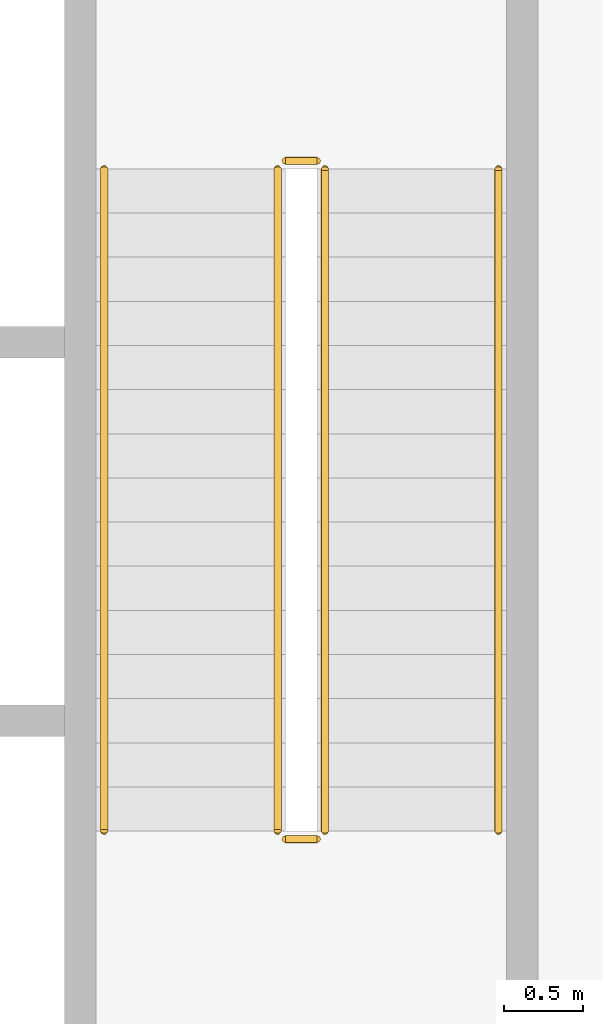
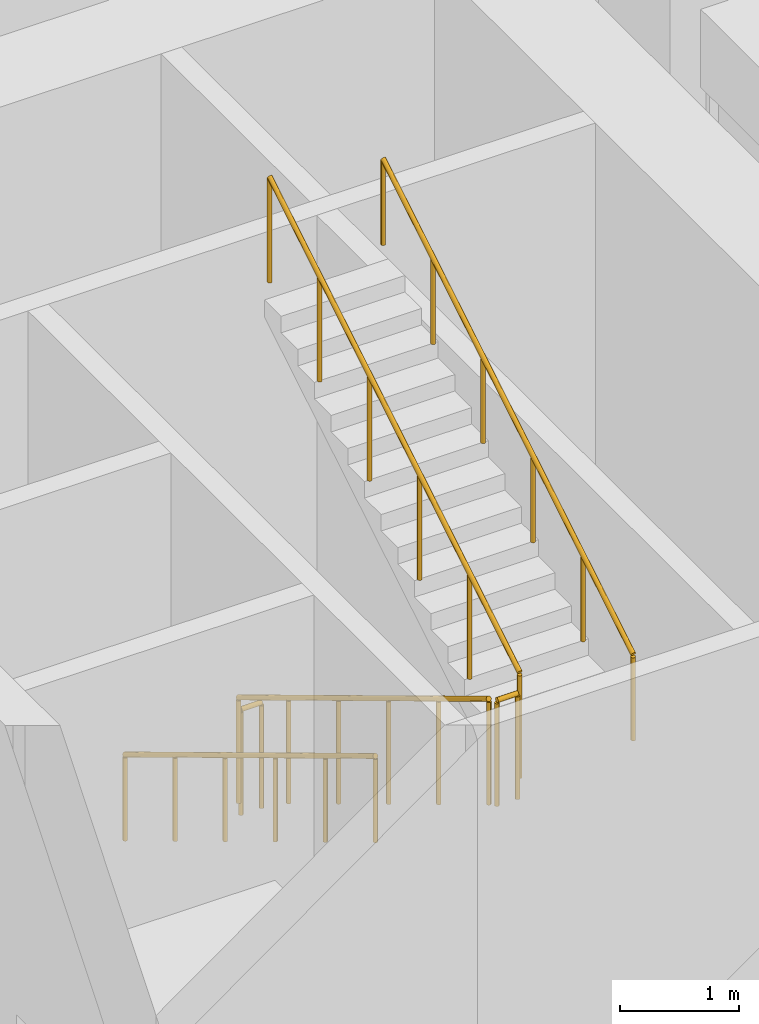
# One storey, part 26 of 28: 6 railings.
"""IFC4 building model written with IfcOpenShell, lengths in metres."""

from ifc_helpers import new_model, si_unit, direction, frame, origin, origin_2d, place, context, subcontext, project, spatial, circle, extrude, material, type_object, element, save


model = new_model("IFC4")

# Units and contexts
model_context = context("Model", 3, precision=1e-05, world=origin(), true_north=direction((0.0, 1.0)))
body_context = subcontext(model_context, "Body", "Model", "MODEL_VIEW")
ifc_project = project(units=[si_unit("LENGTHUNIT", "METRE"), si_unit("AREAUNIT", "SQUARE_METRE"), si_unit("VOLUMEUNIT", "CUBIC_METRE"), si_unit("PLANEANGLEUNIT", "RADIAN"), si_unit("MASSUNIT", "GRAM", prefix="KILO")], contexts=[model_context])

# Site, building, storey
site_placement = place(None, origin())
site = spatial("IfcSite", under=ifc_project, at=site_placement, CompositionType="ELEMENT")
building_placement = place(site_placement, origin())
building = spatial("IfcBuilding", under=site, at=building_placement, Name="Kiln Ring Residences", CompositionType="ELEMENT")
storey_placement = place(building_placement, frame((0.0, 0.0, 125.300048828125)))
storey = spatial("IfcBuildingStorey", under=building, at=storey_placement, Name="L32", CompositionType="ELEMENT", Elevation=125.300048828125)

# Railings
ifc_material_1 = material(Name="Stainless steel", Category="steel")
railing_type_1 = type_object("IfcRailingType", Name="CORE-STAIR-GUARD", PredefinedType="GUARDRAIL", material=ifc_material_1)
railing_1_placement = place(storey_placement, frame((21.949951171875, 8.39990234375, 0.168701171875)))
element("IfcRailing", 1, at=railing_1_placement, inside=storey, type_object=railing_type_1, Name="L32 E-STN stair guard 1", PredefinedType="GUARDRAIL", context=body_context, shape_type="SweptSolid", body=[
    extrude(circle(Radius=0.02392578125, at=origin_2d()), frame((0.0, 0.0, 1.076171875), z_axis=(0.0, -0.856476492594, 0.516186030065), x_axis=(1.0, 0.0, 0.0)), (0.0, 0.0, 1.0), 4.90380859375),
    extrude(circle(Radius=0.02099609375, at=origin_2d()), origin(), (0.0, 0.0, 1.0), 1.052001953125),
    extrude(circle(Radius=0.02099609375, at=origin_2d()), frame((0.0, -0.840087890625, 0.50634765625)), (0.0, 0.0, 1.0), 1.052001953125),
    extrude(circle(Radius=0.02099609375, at=origin_2d()), frame((0.0, -1.679931640625, 1.012451171875)), (0.0, 0.0, 1.0), 1.052001953125),
    extrude(circle(Radius=0.02099609375, at=origin_2d()), frame((0.0, -2.52001953125, 1.518798828125)), (0.0, 0.0, 1.0), 1.052001953125),
    extrude(circle(Radius=0.02099609375, at=origin_2d()), frame((0.0, -3.35986328125, 2.02490234375)), (0.0, 0.0, 1.0), 1.052001953125),
    extrude(circle(Radius=0.02099609375, at=origin_2d()), frame((0.0, -4.199951171875, 2.53125)), (0.0, 0.0, 1.0), 1.052001953125),
])
railing_2_placement = place(storey_placement, frame((22.0, 4.14990234375, 2.699951171875)))
element("IfcRailing", 2, at=railing_2_placement, inside=storey, type_object=railing_type_1, Name="L32 E-STN stair guard 2", PredefinedType="GUARDRAIL", context=body_context, shape_type="SweptSolid", body=[
    extrude(circle(Radius=0.02392578125, at=origin_2d()), frame((0.0, 0.0, 1.076171875), z_axis=(1.0, 0.0, 0.0), x_axis=(0.0, 1.0, 0.0)), (0.0, 0.0, 1.0), 0.199951171875),
    extrude(circle(Radius=0.02099609375, at=origin_2d()), origin(), (0.0, 0.0, 1.0), 1.052001953125),
    extrude(circle(Radius=0.02099609375, at=origin_2d()), frame((0.199951171875, 0.0, 0.0)), (0.0, 0.0, 1.0), 1.052001953125),
])
railing_3_placement = place(storey_placement, frame((22.25, 4.199951171875, 2.86865234375)))
element("IfcRailing", 3, at=railing_3_placement, inside=storey, type_object=railing_type_1, Name="L32 E-STN stair guard 3", PredefinedType="GUARDRAIL", context=body_context, shape_type="SweptSolid", body=[
    extrude(circle(Radius=0.02392578125, at=origin_2d()), frame((0.0, 0.0, 1.076171875), z_axis=(0.0, 0.856476492594, 0.516186030065), x_axis=(-1.0, 0.0, 0.0)), (0.0, 0.0, 1.0), 4.90380859375),
    extrude(circle(Radius=0.02099609375, at=origin_2d()), origin(), (0.0, 0.0, 1.0), 1.052001953125),
    extrude(circle(Radius=0.02099609375, at=origin_2d()), frame((0.0, 0.840087890625, 0.50634765625)), (0.0, 0.0, 1.0), 1.052001953125),
    extrude(circle(Radius=0.02099609375, at=origin_2d()), frame((0.0, 1.679931640625, 1.012451171875)), (0.0, 0.0, 1.0), 1.052001953125),
    extrude(circle(Radius=0.02099609375, at=origin_2d()), frame((0.0, 2.52001953125, 1.518798828125)), (0.0, 0.0, 1.0), 1.052001953125),
    extrude(circle(Radius=0.02099609375, at=origin_2d()), frame((0.0, 3.35986328125, 2.02490234375)), (0.0, 0.0, 1.0), 1.052001953125),
    extrude(circle(Radius=0.02099609375, at=origin_2d()), frame((0.0, 4.199951171875, 2.53125)), (0.0, 0.0, 1.0), 1.052001953125),
])
railing_4_placement = place(storey_placement, frame((22.0, 8.449951171875, 0.0)))
element("IfcRailing", 4, at=railing_4_placement, inside=storey, type_object=railing_type_1, Name="L32 E-STN stair guard 4", PredefinedType="GUARDRAIL", context=body_context, shape_type="SweptSolid", body=[
    extrude(circle(Radius=0.02392578125, at=origin_2d()), frame((0.0, 0.0, 1.076171875), z_axis=(1.0, 0.0, 0.0), x_axis=(0.0, 1.0, 0.0)), (0.0, 0.0, 1.0), 0.199951171875),
    extrude(circle(Radius=0.02099609375, at=origin_2d()), origin(), (0.0, 0.0, 1.0), 1.052001953125),
    extrude(circle(Radius=0.02099609375, at=origin_2d()), frame((0.199951171875, 0.0, 0.0)), (0.0, 0.0, 1.0), 1.052001953125),
])
ifc_material_2 = material(Name="Stainless steel", Category="steel")
railing_type_2 = type_object("IfcRailingType", Name="CORE-STAIR-HANDRAIL", PredefinedType="HANDRAIL", material=ifc_material_2)
railing_5_placement = place(storey_placement, frame((20.85009765625, 8.39990234375, 0.168701171875)))
element("IfcRailing", 5, at=railing_5_placement, inside=storey, type_object=railing_type_2, Name="L32 E-STN stair handrail 1", PredefinedType="HANDRAIL", context=body_context, shape_type="SweptSolid", body=[
    extrude(circle(Radius=0.02392578125, at=origin_2d()), frame((0.0, 0.0, 0.8759765625), z_axis=(0.0, -0.856476492594, 0.516186030065), x_axis=(1.0, 0.0, 0.0)), (0.0, 0.0, 1.0), 4.90380859375),
    extrude(circle(Radius=0.02099609375, at=origin_2d()), origin(), (0.0, 0.0, 1.0), 0.851806640625),
    extrude(circle(Radius=0.02099609375, at=origin_2d()), frame((0.0, -0.840087890625, 0.50634765625)), (0.0, 0.0, 1.0), 0.851806640625),
    extrude(circle(Radius=0.02099609375, at=origin_2d()), frame((0.0, -1.679931640625, 1.012451171875)), (0.0, 0.0, 1.0), 0.851806640625),
    extrude(circle(Radius=0.02099609375, at=origin_2d()), frame((0.0, -2.52001953125, 1.518798828125)), (0.0, 0.0, 1.0), 0.851806640625),
    extrude(circle(Radius=0.02099609375, at=origin_2d()), frame((0.0, -3.35986328125, 2.02490234375)), (0.0, 0.0, 1.0), 0.851806640625),
    extrude(circle(Radius=0.02099609375, at=origin_2d()), frame((0.0, -4.199951171875, 2.53125)), (0.0, 0.0, 1.0), 0.851806640625),
])
railing_6_placement = place(storey_placement, frame((23.35009765625, 4.199951171875, 2.86865234375)))
element("IfcRailing", 6, at=railing_6_placement, inside=storey, type_object=railing_type_2, Name="L32 E-STN stair handrail 2", PredefinedType="HANDRAIL", context=body_context, shape_type="SweptSolid", body=[
    extrude(circle(Radius=0.02392578125, at=origin_2d()), frame((0.0, 0.0, 0.8759765625), z_axis=(0.0, 0.856476492594, 0.516186030065), x_axis=(-1.0, 0.0, 0.0)), (0.0, 0.0, 1.0), 4.90380859375),
    extrude(circle(Radius=0.02099609375, at=origin_2d()), origin(), (0.0, 0.0, 1.0), 0.851806640625),
    extrude(circle(Radius=0.02099609375, at=origin_2d()), frame((0.0, 0.840087890625, 0.50634765625)), (0.0, 0.0, 1.0), 0.851806640625),
    extrude(circle(Radius=0.02099609375, at=origin_2d()), frame((0.0, 1.679931640625, 1.012451171875)), (0.0, 0.0, 1.0), 0.851806640625),
    extrude(circle(Radius=0.02099609375, at=origin_2d()), frame((0.0, 2.52001953125, 1.518798828125)), (0.0, 0.0, 1.0), 0.851806640625),
    extrude(circle(Radius=0.02099609375, at=origin_2d()), frame((0.0, 3.35986328125, 2.02490234375)), (0.0, 0.0, 1.0), 0.851806640625),
    extrude(circle(Radius=0.02099609375, at=origin_2d()), frame((0.0, 4.199951171875, 2.53125)), (0.0, 0.0, 1.0), 0.851806640625),
])

save(model, "model.ifc")
